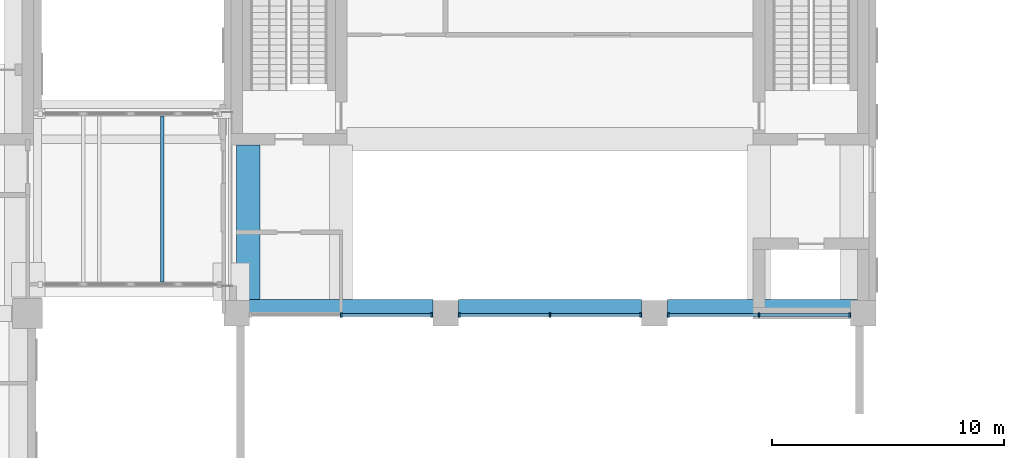
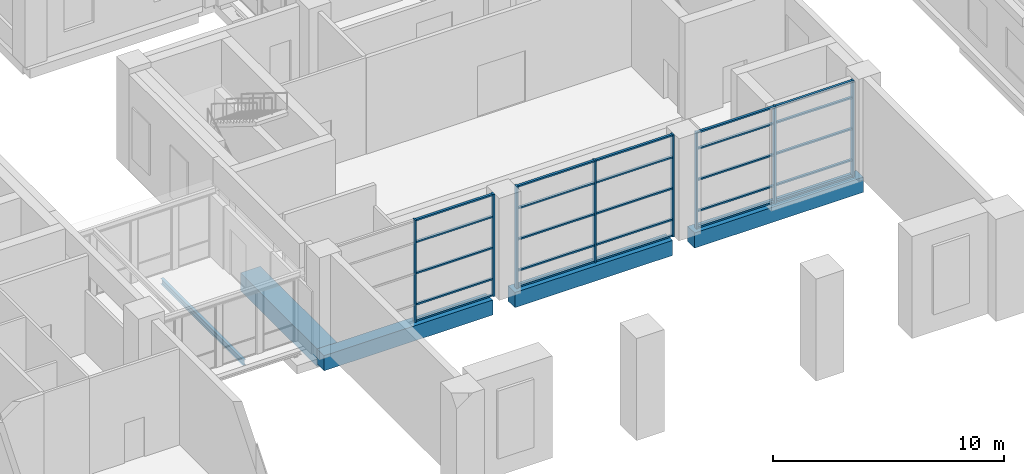
# One storey, part 5 of 52: 33 members, 5 beams, 3 elements without a shape of their own.
"""IFC4 building model written with IfcOpenShell, lengths in metres."""

from ifc_helpers import new_model, si_unit, direction, frame, origin, origin_2d, place, context, subcontext, project, spatial, rectangle, i_section, extrude, material, layer, layer_set, material_profile, profile_set, type_object, element, aggregate, save


model = new_model("IFC4")

# Units and contexts
model_context = context("Model", 3, precision=1e-05, world=origin(), true_north=direction((0.0, 1.0)))
body_context = subcontext(model_context, "Body", "Model", "MODEL_VIEW")
ifc_project = project(units=[si_unit("LENGTHUNIT", "METRE"), si_unit("AREAUNIT", "SQUARE_METRE"), si_unit("VOLUMEUNIT", "CUBIC_METRE"), si_unit("PLANEANGLEUNIT", "RADIAN"), si_unit("MASSUNIT", "GRAM", prefix="KILO")], contexts=[model_context])

# Site, building, storey
site_placement = place(None, origin())
site = spatial("IfcSite", under=ifc_project, at=site_placement, CompositionType="ELEMENT")
building_placement = place(site_placement, origin())
building = spatial("IfcBuilding", under=site, at=building_placement, Name="Aurelan Courthouse", CompositionType="ELEMENT")
storey_placement = place(building_placement, frame((0.0, 0.0, 6.60009765625)))
storey = spatial("IfcBuildingStorey", under=building, at=storey_placement, Name="L01", CompositionType="ELEMENT", Elevation=6.60009765625)

# Beam
ifc_material_1 = material(Name="Steel S355", Category="steel")
ifc_material_profile_1 = material_profile(ifc_material_1, i_section(OverallWidth=0.14990234375, OverallDepth=0.300048828125, WebThickness=0.007080078125, FlangeThickness=0.0107421875, FilletRadius=0.014892578125, at=origin_2d()), Name="IPE 300")
ifc_profile_set_1 = profile_set([ifc_material_profile_1], Name="Steel S355")
beam_type_1 = type_object("IfcBeamType", Name="Bridge cross beam IPE 300", PredefinedType="BEAM", material=ifc_profile_set_1)
beam_1_placement = place(storey_placement, frame((32.800048828125, 13.35498046875, -0.35009765625), z_axis=(0.0, 1.0, 0.0), x_axis=(-1.0, 0.0, 0.0)))
element("IfcBeam", 1, at=beam_1_placement, inside=storey, type_object=beam_type_1, Name="Bridge cross beam BX-2", PredefinedType="BEAM", context=body_context, shape_type="SweptSolid", body=[
    extrude(i_section(OverallWidth=0.14990234375, OverallDepth=0.300048828125, WebThickness=0.007080078125, FlangeThickness=0.0107421875, FilletRadius=0.014892578125, at=origin_2d()), origin(), (0.0, 0.0, 1.0), 7.14013671875),
])

# Curtain wall, members
ifc_material_2 = material(Name="Bronze-finished aluminium and glass", Category="aluminium")
ifc_layer_1 = layer(ifc_material_2, 0.14990234375)
ifc_layer_set_1 = layer_set([ifc_layer_1], Name="Bronze-finished aluminium and glass")
curtain_wall_type_1 = type_object("IfcCurtainWallType", Name="Curtain wall 7900 x 5400", PredefinedType="NOTDEFINED", material=ifc_layer_set_1)
curtain_wall_1_placement = place(storey_placement, origin())
curtain_wall_1 = element("IfcCurtainWall", 2, at=curtain_wall_1_placement, inside=storey, type_object=curtain_wall_type_1, Name="Curtain wall CW-V1-L01-S01", PredefinedType="NOTDEFINED")
ifc_material_3 = material(Name="Bronze-finished aluminium", Category="aluminium")
ifc_material_profile_2 = material_profile(ifc_material_3, rectangle(XDim=0.199951171875, YDim=0.080078125, at=origin_2d()), Name="Bronze mullion 80 x 200")
ifc_profile_set_2 = profile_set([ifc_material_profile_2], Name="Bronze-finished aluminium")
member_type_1 = type_object("IfcMemberType", Name="Curtain wall mullion 80 x 200", PredefinedType="MULLION", material=ifc_profile_set_2)
member_1_placement = place(storey_placement, frame((40.5, 11.925048828125, 0.0), z_axis=(0.0, 0.0, 1.0), x_axis=(0.0, 1.0, 0.0)))
member_1 = element("IfcMember", 3, at=member_1_placement, type_object=member_type_1, Name="CW-V1-L01-S01 mullion 2", PredefinedType="MULLION", context=body_context, shape_type="SweptSolid", body=[
    extrude(rectangle(XDim=0.199951171875, YDim=0.080078125, at=origin_2d()), origin(), (0.0, 0.0, 1.0), 5.39990234375),
])
member_2_placement = place(storey_placement, frame((44.409912109375, 11.925048828125, 0.0), z_axis=(0.0, 0.0, 1.0), x_axis=(0.0, 1.0, 0.0)))
member_2 = element("IfcMember", 4, at=member_2_placement, type_object=member_type_1, Name="CW-V1-L01-S01 mullion 3", PredefinedType="MULLION", context=body_context, shape_type="SweptSolid", body=[
    extrude(rectangle(XDim=0.199951171875, YDim=0.080078125, at=origin_2d()), origin(), (0.0, 0.0, 1.0), 5.39990234375),
])

curtain_wall_2_placement = place(storey_placement, origin())
curtain_wall_2 = element("IfcCurtainWall", 5, at=curtain_wall_2_placement, inside=storey, type_object=curtain_wall_type_1, Name="Curtain wall CW-V1-L01-S02", PredefinedType="NOTDEFINED")
member_3_placement = place(storey_placement, frame((45.590087890625, 11.925048828125, 0.0), z_axis=(0.0, 0.0, 1.0), x_axis=(0.0, 1.0, 0.0)))
member_3 = element("IfcMember", 6, at=member_3_placement, type_object=member_type_1, Name="CW-V1-L01-S02 mullion 1", PredefinedType="MULLION", context=body_context, shape_type="SweptSolid", body=[
    extrude(rectangle(XDim=0.199951171875, YDim=0.080078125, at=origin_2d()), origin(), (0.0, 0.0, 1.0), 5.39990234375),
])
member_4_placement = place(storey_placement, frame((49.5, 11.925048828125, 0.0), z_axis=(0.0, 0.0, 1.0), x_axis=(0.0, 1.0, 0.0)))
member_4 = element("IfcMember", 7, at=member_4_placement, type_object=member_type_1, Name="CW-V1-L01-S02 mullion 2", PredefinedType="MULLION", context=body_context, shape_type="SweptSolid", body=[
    extrude(rectangle(XDim=0.199951171875, YDim=0.080078125, at=origin_2d()), origin(), (0.0, 0.0, 1.0), 5.39990234375),
])
member_5_placement = place(storey_placement, frame((53.409912109375, 11.925048828125, 0.0), z_axis=(0.0, 0.0, 1.0), x_axis=(0.0, 1.0, 0.0)))
member_5 = element("IfcMember", 8, at=member_5_placement, type_object=member_type_1, Name="CW-V1-L01-S02 mullion 3", PredefinedType="MULLION", context=body_context, shape_type="SweptSolid", body=[
    extrude(rectangle(XDim=0.199951171875, YDim=0.080078125, at=origin_2d()), origin(), (0.0, 0.0, 1.0), 5.39990234375),
])

ifc_layer_2 = layer(ifc_material_2, 0.14990234375)
ifc_layer_set_2 = layer_set([ifc_layer_2], Name="Bronze-finished aluminium and glass")
curtain_wall_type_2 = type_object("IfcCurtainWallType", Name="Curtain wall 7900 x 5100", PredefinedType="NOTDEFINED", material=ifc_layer_set_2)
curtain_wall_3_placement = place(storey_placement, origin())
curtain_wall_3 = element("IfcCurtainWall", 9, at=curtain_wall_3_placement, inside=storey, type_object=curtain_wall_type_2, Name="Curtain wall CW-V1-L01-S03", PredefinedType="NOTDEFINED")
member_6_placement = place(storey_placement, frame((54.590087890625, 11.925048828125, 0.0), z_axis=(0.0, 0.0, 1.0), x_axis=(0.0, 1.0, 0.0)))
member_6 = element("IfcMember", 10, at=member_6_placement, type_object=member_type_1, Name="CW-V1-L01-S03 mullion 1", PredefinedType="MULLION", context=body_context, shape_type="SweptSolid", body=[
    extrude(rectangle(XDim=0.199951171875, YDim=0.080078125, at=origin_2d()), origin(), (0.0, 0.0, 1.0), 5.099853515625),
])
member_7_placement = place(storey_placement, frame((58.5, 11.925048828125, 0.0), z_axis=(0.0, 0.0, 1.0), x_axis=(0.0, 1.0, 0.0)))
member_7 = element("IfcMember", 11, at=member_7_placement, type_object=member_type_1, Name="CW-V1-L01-S03 mullion 2", PredefinedType="MULLION", context=body_context, shape_type="SweptSolid", body=[
    extrude(rectangle(XDim=0.199951171875, YDim=0.080078125, at=origin_2d()), origin(), (0.0, 0.0, 1.0), 5.099853515625),
])
member_8_placement = place(storey_placement, frame((62.409912109375, 11.925048828125, 0.0), z_axis=(0.0, 0.0, 1.0), x_axis=(0.0, 1.0, 0.0)))
member_8 = element("IfcMember", 12, at=member_8_placement, type_object=member_type_1, Name="CW-V1-L01-S03 mullion 3", PredefinedType="MULLION", context=body_context, shape_type="SweptSolid", body=[
    extrude(rectangle(XDim=0.199951171875, YDim=0.080078125, at=origin_2d()), origin(), (0.0, 0.0, 1.0), 5.099853515625),
])

# Member
ifc_material_profile_3 = material_profile(ifc_material_3, rectangle(XDim=0.1201171875, YDim=0.080078125, at=origin_2d()), Name="Bronze transom 80 x 120")
ifc_profile_set_3 = profile_set([ifc_material_profile_3], Name="Bronze-finished aluminium")
member_type_2 = type_object("IfcMemberType", Name="Curtain wall transom 80 x 120", PredefinedType="USERDEFINED", material=ifc_profile_set_3)
member_9_placement = place(storey_placement, frame((40.5400390625, 11.925048828125, 0.039794921875), z_axis=(1.0, 0.0, 0.0), x_axis=(0.0, 1.0, 0.0)))
member_9 = element("IfcMember", 13, at=member_9_placement, type_object=member_type_2, Name="CW-V1-L01-S01 transom 2.1", ObjectType="TRANSOM", PredefinedType="USERDEFINED", context=body_context, shape_type="SweptSolid", body=[
    extrude(rectangle(XDim=0.1201171875, YDim=0.080078125, at=origin_2d()), origin(), (0.0, 0.0, 1.0), 3.830078125),
])

member_10_placement = place(storey_placement, frame((40.5400390625, 11.925048828125, 0.89990234375), z_axis=(1.0, 0.0, 0.0), x_axis=(0.0, 1.0, 0.0)))
member_10 = element("IfcMember", 14, at=member_10_placement, type_object=member_type_2, Name="CW-V1-L01-S01 transom 2.2", ObjectType="TRANSOM", PredefinedType="USERDEFINED", context=body_context, shape_type="SweptSolid", body=[
    extrude(rectangle(XDim=0.1201171875, YDim=0.080078125, at=origin_2d()), origin(), (0.0, 0.0, 1.0), 3.830078125),
])

member_11_placement = place(storey_placement, frame((40.5400390625, 11.925048828125, 2.5498046875), z_axis=(1.0, 0.0, 0.0), x_axis=(0.0, 1.0, 0.0)))
member_11 = element("IfcMember", 15, at=member_11_placement, type_object=member_type_2, Name="CW-V1-L01-S01 transom 2.3", ObjectType="TRANSOM", PredefinedType="USERDEFINED", context=body_context, shape_type="SweptSolid", body=[
    extrude(rectangle(XDim=0.1201171875, YDim=0.080078125, at=origin_2d()), origin(), (0.0, 0.0, 1.0), 3.830078125),
])

member_12_placement = place(storey_placement, frame((40.5400390625, 11.925048828125, 4.199951171875), z_axis=(1.0, 0.0, 0.0), x_axis=(0.0, 1.0, 0.0)))
member_12 = element("IfcMember", 16, at=member_12_placement, type_object=member_type_2, Name="CW-V1-L01-S01 transom 2.4", ObjectType="TRANSOM", PredefinedType="USERDEFINED", context=body_context, shape_type="SweptSolid", body=[
    extrude(rectangle(XDim=0.1201171875, YDim=0.080078125, at=origin_2d()), origin(), (0.0, 0.0, 1.0), 3.830078125),
])

member_13_placement = place(storey_placement, frame((40.5400390625, 11.925048828125, 5.35986328125), z_axis=(1.0, 0.0, 0.0), x_axis=(0.0, 1.0, 0.0)))
member_13 = element("IfcMember", 17, at=member_13_placement, type_object=member_type_2, Name="CW-V1-L01-S01 transom 2.5", ObjectType="TRANSOM", PredefinedType="USERDEFINED", context=body_context, shape_type="SweptSolid", body=[
    extrude(rectangle(XDim=0.1201171875, YDim=0.080078125, at=origin_2d()), origin(), (0.0, 0.0, 1.0), 3.830078125),
])

aggregate(curtain_wall_1, [member_1, member_2, member_9, member_10, member_11, member_12, member_13])

member_14_placement = place(storey_placement, frame((45.6298828125, 11.925048828125, 0.039794921875), z_axis=(1.0, 0.0, 0.0), x_axis=(0.0, 1.0, 0.0)))
member_14 = element("IfcMember", 18, at=member_14_placement, type_object=member_type_2, Name="CW-V1-L01-S02 transom 1.1", ObjectType="TRANSOM", PredefinedType="USERDEFINED", context=body_context, shape_type="SweptSolid", body=[
    extrude(rectangle(XDim=0.1201171875, YDim=0.080078125, at=origin_2d()), origin(), (0.0, 0.0, 1.0), 3.830078125),
])

member_15_placement = place(storey_placement, frame((45.6298828125, 11.925048828125, 0.89990234375), z_axis=(1.0, 0.0, 0.0), x_axis=(0.0, 1.0, 0.0)))
member_15 = element("IfcMember", 19, at=member_15_placement, type_object=member_type_2, Name="CW-V1-L01-S02 transom 1.2", ObjectType="TRANSOM", PredefinedType="USERDEFINED", context=body_context, shape_type="SweptSolid", body=[
    extrude(rectangle(XDim=0.1201171875, YDim=0.080078125, at=origin_2d()), origin(), (0.0, 0.0, 1.0), 3.830078125),
])

member_16_placement = place(storey_placement, frame((45.6298828125, 11.925048828125, 2.5498046875), z_axis=(1.0, 0.0, 0.0), x_axis=(0.0, 1.0, 0.0)))
member_16 = element("IfcMember", 20, at=member_16_placement, type_object=member_type_2, Name="CW-V1-L01-S02 transom 1.3", ObjectType="TRANSOM", PredefinedType="USERDEFINED", context=body_context, shape_type="SweptSolid", body=[
    extrude(rectangle(XDim=0.1201171875, YDim=0.080078125, at=origin_2d()), origin(), (0.0, 0.0, 1.0), 3.830078125),
])

member_17_placement = place(storey_placement, frame((45.6298828125, 11.925048828125, 4.199951171875), z_axis=(1.0, 0.0, 0.0), x_axis=(0.0, 1.0, 0.0)))
member_17 = element("IfcMember", 21, at=member_17_placement, type_object=member_type_2, Name="CW-V1-L01-S02 transom 1.4", ObjectType="TRANSOM", PredefinedType="USERDEFINED", context=body_context, shape_type="SweptSolid", body=[
    extrude(rectangle(XDim=0.1201171875, YDim=0.080078125, at=origin_2d()), origin(), (0.0, 0.0, 1.0), 3.830078125),
])

member_18_placement = place(storey_placement, frame((45.6298828125, 11.925048828125, 5.35986328125), z_axis=(1.0, 0.0, 0.0), x_axis=(0.0, 1.0, 0.0)))
member_18 = element("IfcMember", 22, at=member_18_placement, type_object=member_type_2, Name="CW-V1-L01-S02 transom 1.5", ObjectType="TRANSOM", PredefinedType="USERDEFINED", context=body_context, shape_type="SweptSolid", body=[
    extrude(rectangle(XDim=0.1201171875, YDim=0.080078125, at=origin_2d()), origin(), (0.0, 0.0, 1.0), 3.830078125),
])

member_19_placement = place(storey_placement, frame((49.5400390625, 11.925048828125, 0.039794921875), z_axis=(1.0, 0.0, 0.0), x_axis=(0.0, 1.0, 0.0)))
member_19 = element("IfcMember", 23, at=member_19_placement, type_object=member_type_2, Name="CW-V1-L01-S02 transom 2.1", ObjectType="TRANSOM", PredefinedType="USERDEFINED", context=body_context, shape_type="SweptSolid", body=[
    extrude(rectangle(XDim=0.1201171875, YDim=0.080078125, at=origin_2d()), origin(), (0.0, 0.0, 1.0), 3.830078125),
])

member_20_placement = place(storey_placement, frame((49.5400390625, 11.925048828125, 0.89990234375), z_axis=(1.0, 0.0, 0.0), x_axis=(0.0, 1.0, 0.0)))
member_20 = element("IfcMember", 24, at=member_20_placement, type_object=member_type_2, Name="CW-V1-L01-S02 transom 2.2", ObjectType="TRANSOM", PredefinedType="USERDEFINED", context=body_context, shape_type="SweptSolid", body=[
    extrude(rectangle(XDim=0.1201171875, YDim=0.080078125, at=origin_2d()), origin(), (0.0, 0.0, 1.0), 3.830078125),
])

member_21_placement = place(storey_placement, frame((49.5400390625, 11.925048828125, 2.5498046875), z_axis=(1.0, 0.0, 0.0), x_axis=(0.0, 1.0, 0.0)))
member_21 = element("IfcMember", 25, at=member_21_placement, type_object=member_type_2, Name="CW-V1-L01-S02 transom 2.3", ObjectType="TRANSOM", PredefinedType="USERDEFINED", context=body_context, shape_type="SweptSolid", body=[
    extrude(rectangle(XDim=0.1201171875, YDim=0.080078125, at=origin_2d()), origin(), (0.0, 0.0, 1.0), 3.830078125),
])

member_22_placement = place(storey_placement, frame((49.5400390625, 11.925048828125, 4.199951171875), z_axis=(1.0, 0.0, 0.0), x_axis=(0.0, 1.0, 0.0)))
member_22 = element("IfcMember", 26, at=member_22_placement, type_object=member_type_2, Name="CW-V1-L01-S02 transom 2.4", ObjectType="TRANSOM", PredefinedType="USERDEFINED", context=body_context, shape_type="SweptSolid", body=[
    extrude(rectangle(XDim=0.1201171875, YDim=0.080078125, at=origin_2d()), origin(), (0.0, 0.0, 1.0), 3.830078125),
])

member_23_placement = place(storey_placement, frame((49.5400390625, 11.925048828125, 5.35986328125), z_axis=(1.0, 0.0, 0.0), x_axis=(0.0, 1.0, 0.0)))
member_23 = element("IfcMember", 27, at=member_23_placement, type_object=member_type_2, Name="CW-V1-L01-S02 transom 2.5", ObjectType="TRANSOM", PredefinedType="USERDEFINED", context=body_context, shape_type="SweptSolid", body=[
    extrude(rectangle(XDim=0.1201171875, YDim=0.080078125, at=origin_2d()), origin(), (0.0, 0.0, 1.0), 3.830078125),
])

aggregate(curtain_wall_2, [member_3, member_4, member_5, member_14, member_15, member_16, member_17, member_18, member_19, member_20, member_21, member_22, member_23])

member_24_placement = place(storey_placement, frame((54.6298828125, 11.925048828125, 0.039794921875), z_axis=(1.0, 0.0, 0.0), x_axis=(0.0, 1.0, 0.0)))
member_24 = element("IfcMember", 28, at=member_24_placement, type_object=member_type_2, Name="CW-V1-L01-S03 transom 1.1", ObjectType="TRANSOM", PredefinedType="USERDEFINED", context=body_context, shape_type="SweptSolid", body=[
    extrude(rectangle(XDim=0.1201171875, YDim=0.080078125, at=origin_2d()), origin(), (0.0, 0.0, 1.0), 3.830078125),
])

member_25_placement = place(storey_placement, frame((54.6298828125, 11.925048828125, 0.89990234375), z_axis=(1.0, 0.0, 0.0), x_axis=(0.0, 1.0, 0.0)))
member_25 = element("IfcMember", 29, at=member_25_placement, type_object=member_type_2, Name="CW-V1-L01-S03 transom 1.2", ObjectType="TRANSOM", PredefinedType="USERDEFINED", context=body_context, shape_type="SweptSolid", body=[
    extrude(rectangle(XDim=0.1201171875, YDim=0.080078125, at=origin_2d()), origin(), (0.0, 0.0, 1.0), 3.830078125),
])

member_26_placement = place(storey_placement, frame((54.6298828125, 11.925048828125, 2.5498046875), z_axis=(1.0, 0.0, 0.0), x_axis=(0.0, 1.0, 0.0)))
member_26 = element("IfcMember", 30, at=member_26_placement, type_object=member_type_2, Name="CW-V1-L01-S03 transom 1.3", ObjectType="TRANSOM", PredefinedType="USERDEFINED", context=body_context, shape_type="SweptSolid", body=[
    extrude(rectangle(XDim=0.1201171875, YDim=0.080078125, at=origin_2d()), origin(), (0.0, 0.0, 1.0), 3.830078125),
])

member_27_placement = place(storey_placement, frame((54.6298828125, 11.925048828125, 4.199951171875), z_axis=(1.0, 0.0, 0.0), x_axis=(0.0, 1.0, 0.0)))
member_27 = element("IfcMember", 31, at=member_27_placement, type_object=member_type_2, Name="CW-V1-L01-S03 transom 1.4", ObjectType="TRANSOM", PredefinedType="USERDEFINED", context=body_context, shape_type="SweptSolid", body=[
    extrude(rectangle(XDim=0.1201171875, YDim=0.080078125, at=origin_2d()), origin(), (0.0, 0.0, 1.0), 3.830078125),
])

member_28_placement = place(storey_placement, frame((54.6298828125, 11.925048828125, 5.059814453125), z_axis=(1.0, 0.0, 0.0), x_axis=(0.0, 1.0, 0.0)))
member_28 = element("IfcMember", 32, at=member_28_placement, type_object=member_type_2, Name="CW-V1-L01-S03 transom 1.5", ObjectType="TRANSOM", PredefinedType="USERDEFINED", context=body_context, shape_type="SweptSolid", body=[
    extrude(rectangle(XDim=0.1201171875, YDim=0.080078125, at=origin_2d()), origin(), (0.0, 0.0, 1.0), 3.830078125),
])

member_29_placement = place(storey_placement, frame((58.5400390625, 11.925048828125, 0.039794921875), z_axis=(1.0, 0.0, 0.0), x_axis=(0.0, 1.0, 0.0)))
member_29 = element("IfcMember", 33, at=member_29_placement, type_object=member_type_2, Name="CW-V1-L01-S03 transom 2.1", ObjectType="TRANSOM", PredefinedType="USERDEFINED", context=body_context, shape_type="SweptSolid", body=[
    extrude(rectangle(XDim=0.1201171875, YDim=0.080078125, at=origin_2d()), origin(), (0.0, 0.0, 1.0), 3.830078125),
])

member_30_placement = place(storey_placement, frame((58.5400390625, 11.925048828125, 0.89990234375), z_axis=(1.0, 0.0, 0.0), x_axis=(0.0, 1.0, 0.0)))
member_30 = element("IfcMember", 34, at=member_30_placement, type_object=member_type_2, Name="CW-V1-L01-S03 transom 2.2", ObjectType="TRANSOM", PredefinedType="USERDEFINED", context=body_context, shape_type="SweptSolid", body=[
    extrude(rectangle(XDim=0.1201171875, YDim=0.080078125, at=origin_2d()), origin(), (0.0, 0.0, 1.0), 3.830078125),
])

member_31_placement = place(storey_placement, frame((58.5400390625, 11.925048828125, 2.5498046875), z_axis=(1.0, 0.0, 0.0), x_axis=(0.0, 1.0, 0.0)))
member_31 = element("IfcMember", 35, at=member_31_placement, type_object=member_type_2, Name="CW-V1-L01-S03 transom 2.3", ObjectType="TRANSOM", PredefinedType="USERDEFINED", context=body_context, shape_type="SweptSolid", body=[
    extrude(rectangle(XDim=0.1201171875, YDim=0.080078125, at=origin_2d()), origin(), (0.0, 0.0, 1.0), 3.830078125),
])

member_32_placement = place(storey_placement, frame((58.5400390625, 11.925048828125, 4.199951171875), z_axis=(1.0, 0.0, 0.0), x_axis=(0.0, 1.0, 0.0)))
member_32 = element("IfcMember", 36, at=member_32_placement, type_object=member_type_2, Name="CW-V1-L01-S03 transom 2.4", ObjectType="TRANSOM", PredefinedType="USERDEFINED", context=body_context, shape_type="SweptSolid", body=[
    extrude(rectangle(XDim=0.1201171875, YDim=0.080078125, at=origin_2d()), origin(), (0.0, 0.0, 1.0), 3.830078125),
])

member_33_placement = place(storey_placement, frame((58.5400390625, 11.925048828125, 5.059814453125), z_axis=(1.0, 0.0, 0.0), x_axis=(0.0, 1.0, 0.0)))
member_33 = element("IfcMember", 37, at=member_33_placement, type_object=member_type_2, Name="CW-V1-L01-S03 transom 2.5", ObjectType="TRANSOM", PredefinedType="USERDEFINED", context=body_context, shape_type="SweptSolid", body=[
    extrude(rectangle(XDim=0.1201171875, YDim=0.080078125, at=origin_2d()), origin(), (0.0, 0.0, 1.0), 3.830078125),
])

aggregate(curtain_wall_3, [member_6, member_7, member_8, member_24, member_25, member_26, member_27, member_28, member_29, member_30, member_31, member_32, member_33])

# Beams
ifc_material_4 = material(Name="Concrete C50", Category="concrete")
ifc_material_profile_4 = material_profile(ifc_material_4, rectangle(XDim=1.0, YDim=0.949951171875, at=origin_2d()), Name="RC 1000 x 950")
ifc_profile_set_4 = profile_set([ifc_material_profile_4], Name="Concrete C50")
beam_type_2 = type_object("IfcBeamType", Name="PT girder 1000 x 950", PredefinedType="BEAM", material=ifc_profile_set_4)
beam_2_placement = place(storey_placement, frame((36.5, 12.60009765625, -0.775146484375), z_axis=(0.0, 1.0, 0.0), x_axis=(-1.0, 0.0, 0.0)))
element("IfcBeam", 38, at=beam_2_placement, inside=storey, type_object=beam_type_2, Name="Girder GB-5BC-E", PredefinedType="BEAM", context=body_context, shape_type="SweptSolid", body=[
    extrude(rectangle(XDim=1.0, YDim=0.949951171875, at=origin_2d()), origin(), (0.0, 0.0, 1.0), 6.64990234375),
])
ifc_material_profile_5 = material_profile(ifc_material_4, rectangle(XDim=0.60009765625, YDim=0.800048828125, at=origin_2d()), Name="RC 600 x 800")
ifc_profile_set_5 = profile_set([ifc_material_profile_5], Name="Concrete C50")
beam_type_3 = type_object("IfcBeamType", Name="RC spandrel beam 600 x 800", PredefinedType="SPANDREL", material=ifc_profile_set_5)
beam_3_placement = place(storey_placement, frame((36.0, 12.300048828125, -0.7001953125), z_axis=(1.0, 0.0, 0.0), x_axis=(0.0, 1.0, 0.0)))
element("IfcBeam", 39, at=beam_3_placement, inside=storey, type_object=beam_type_3, Name="Spandrel beam SB-B-5-6", PredefinedType="SPANDREL", context=body_context, shape_type="SweptSolid", body=[
    extrude(rectangle(XDim=0.60009765625, YDim=0.800048828125, at=origin_2d()), origin(), (0.0, 0.0, 1.0), 8.449951171875),
])
beam_4_placement = place(storey_placement, frame((45.550048828125, 12.300048828125, -0.7001953125), z_axis=(1.0, 0.0, 0.0), x_axis=(0.0, 1.0, 0.0)))
element("IfcBeam", 40, at=beam_4_placement, inside=storey, type_object=beam_type_3, Name="Spandrel beam SB-B-6-7", PredefinedType="SPANDREL", context=body_context, shape_type="SweptSolid", body=[
    extrude(rectangle(XDim=0.60009765625, YDim=0.800048828125, at=origin_2d()), origin(), (0.0, 0.0, 1.0), 7.89990234375),
])
beam_5_placement = place(storey_placement, frame((54.550048828125, 12.300048828125, -0.7001953125), z_axis=(1.0, 0.0, 0.0), x_axis=(0.0, 1.0, 0.0)))
element("IfcBeam", 41, at=beam_5_placement, inside=storey, type_object=beam_type_3, Name="Spandrel beam SB-B-7-8", PredefinedType="SPANDREL", context=body_context, shape_type="SweptSolid", body=[
    extrude(rectangle(XDim=0.60009765625, YDim=0.800048828125, at=origin_2d()), origin(), (0.0, 0.0, 1.0), 8.449951171875),
])

save(model, "model.ifc")
